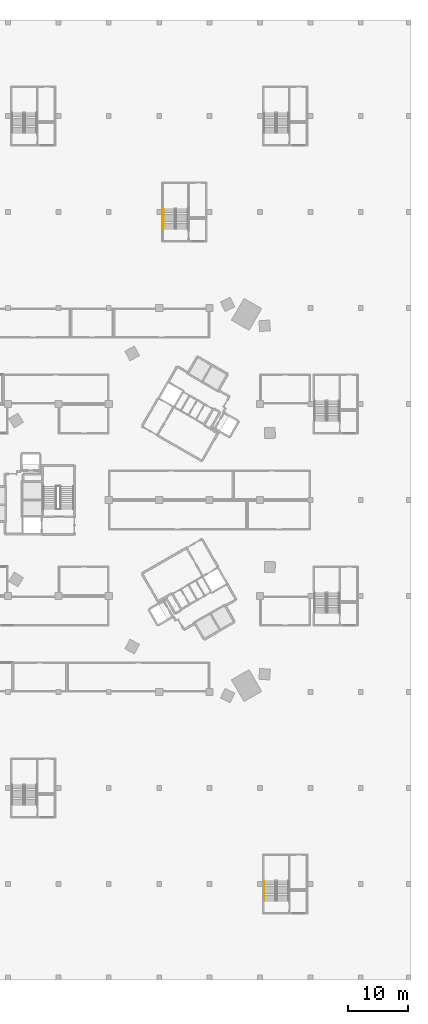
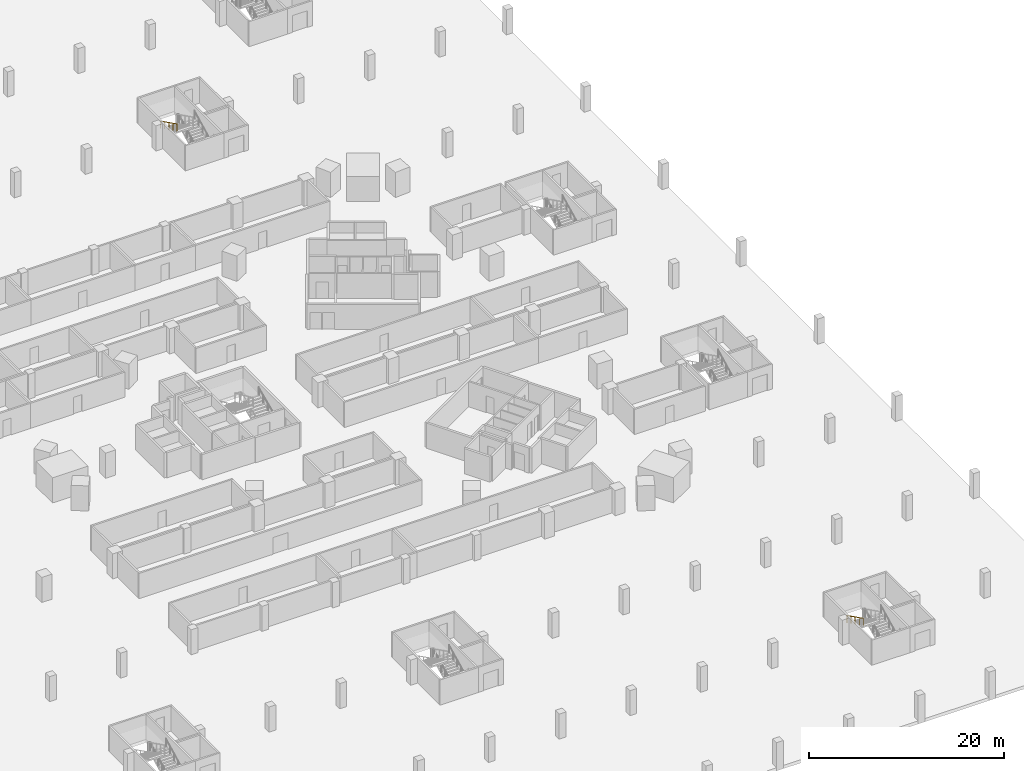
# One storey, part 29 of 37: 2 railings.
"""IFC4 building model written with IfcOpenShell, lengths in metres."""

from ifc_helpers import new_model, si_unit, direction, frame, origin, origin_2d, place, context, subcontext, project, spatial, circle, extrude, material, type_object, element, save


model = new_model("IFC4")

# Units and contexts
model_context = context("Model", 3, precision=1e-05, world=origin(), true_north=direction((0.0, 1.0)))
body_context = subcontext(model_context, "Body", "Model", "MODEL_VIEW")
ifc_project = project(units=[si_unit("LENGTHUNIT", "METRE"), si_unit("AREAUNIT", "SQUARE_METRE"), si_unit("VOLUMEUNIT", "CUBIC_METRE"), si_unit("PLANEANGLEUNIT", "RADIAN"), si_unit("MASSUNIT", "GRAM", prefix="KILO")], contexts=[model_context])

# Site, building, storey
site_placement = place(None, origin())
site = spatial("IfcSite", under=ifc_project, at=site_placement, CompositionType="ELEMENT")
building_placement = place(site_placement, origin())
building = spatial("IfcBuilding", under=site, at=building_placement, Name="Tamra Quay Hotel Tower", CompositionType="ELEMENT")
storey_placement = place(building_placement, frame((0.0, 0.0, -3.60009765625)))
storey = spatial("IfcBuildingStorey", under=building, at=storey_placement, Name="B1", CompositionType="ELEMENT", Elevation=-3.60009765625)

# Railings
ifc_material = material(Name="Basement stair handrail 900")
railing_type = type_object("IfcRailingType", Name="Basement stair handrail 900", PredefinedType="HANDRAIL", material=ifc_material)
for number, where, name in (
    (1, (4.0, 48.5, 1.9501953125), "BSH"),
    (2, (20.800048828125, -63.5, 1.9501953125), "BSH"),
):
    element("IfcRailing", number, at=place(storey_placement, frame(where)), inside=storey, type_object=railing_type, Name=name, PredefinedType="HANDRAIL", context=body_context, shape_type="SweptSolid", body=[
        extrude(circle(Radius=0.02392578125, at=origin_2d()), frame((0.0, 0.0, 0.8759765625), z_axis=(0.0, -0.894440424912, 0.447187126696), x_axis=(1.0, 0.0, 0.0)), (0.0, 0.0, 1.0), 3.689453125),
        extrude(circle(Radius=0.02099609375, at=origin_2d()), origin(), (0.0, 0.0, 1.0), 0.851806640625),
        extrude(circle(Radius=0.02099609375, at=origin_2d()), frame((0.0, -0.824951171875, 0.41259765625)), (0.0, 0.0, 1.0), 0.851806640625),
        extrude(circle(Radius=0.02099609375, at=origin_2d()), frame((0.0, -1.64990234375, 0.824951171875)), (0.0, 0.0, 1.0), 0.851806640625),
        extrude(circle(Radius=0.02099609375, at=origin_2d()), frame((0.0, -2.47509765625, 1.2373046875)), (0.0, 0.0, 1.0), 0.851806640625),
        extrude(circle(Radius=0.02099609375, at=origin_2d()), frame((0.0, -3.300048828125, 1.64990234375)), (0.0, 0.0, 1.0), 0.851806640625),
    ])

save(model, "model.ifc")
